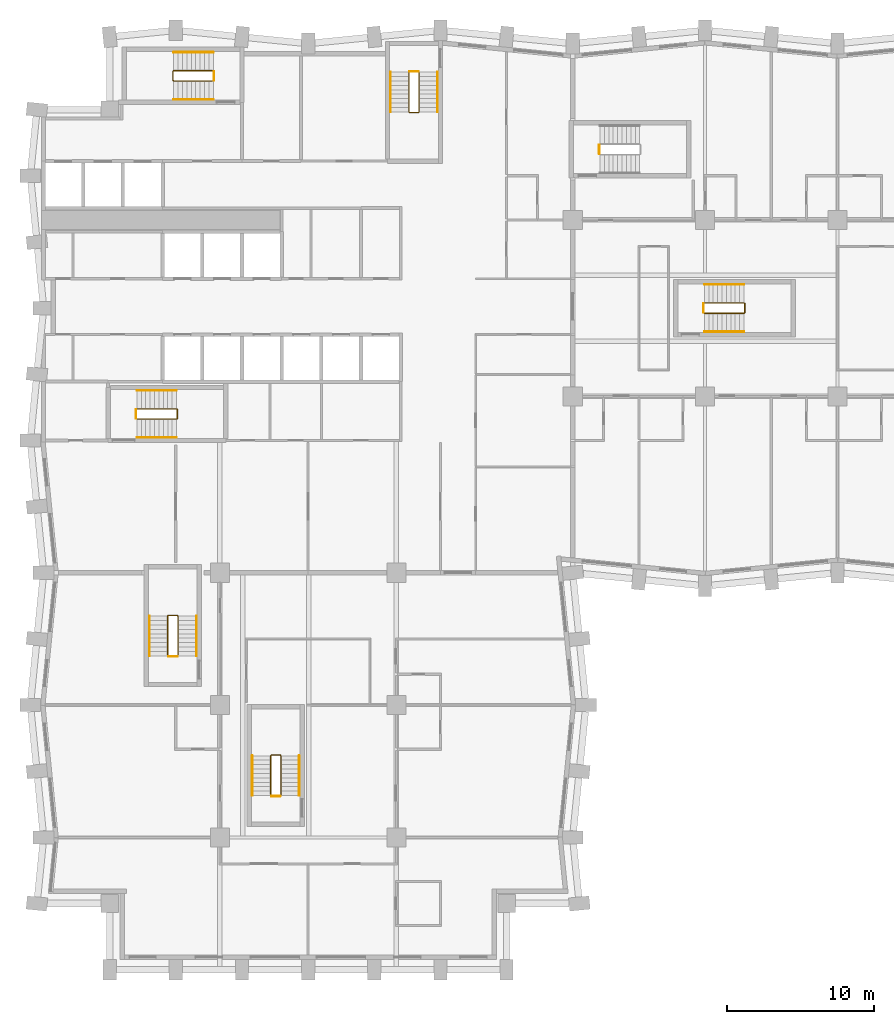
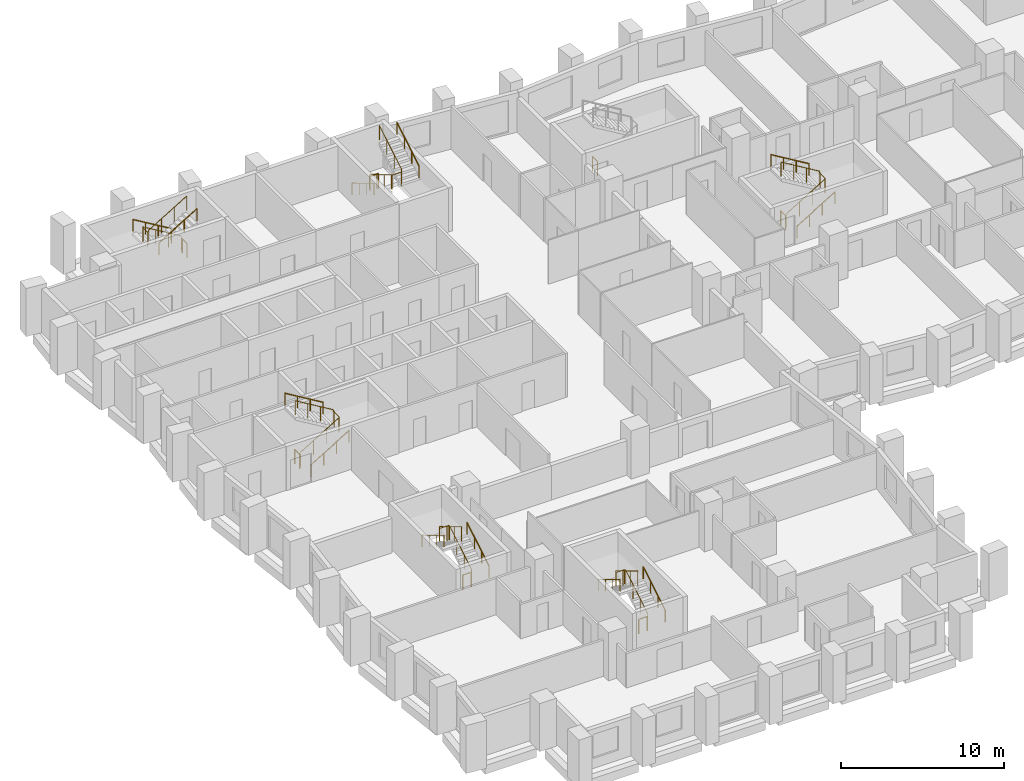
# One storey, part 11 of 12: 25 railings.
"""IFC4 building model written with IfcOpenShell, lengths in metres."""

from ifc_helpers import new_model, si_unit, direction, frame, origin, origin_2d, place, context, subcontext, project, spatial, circle, extrude, material, type_object, element, save


model = new_model("IFC4")

# Units and contexts
model_context = context("Model", 3, precision=1e-05, world=origin(), true_north=direction((0.0, 1.0)))
body_context = subcontext(model_context, "Body", "Model", "MODEL_VIEW")
ifc_project = project(units=[si_unit("LENGTHUNIT", "METRE"), si_unit("AREAUNIT", "SQUARE_METRE"), si_unit("VOLUMEUNIT", "CUBIC_METRE"), si_unit("PLANEANGLEUNIT", "RADIAN"), si_unit("MASSUNIT", "GRAM", prefix="KILO")], contexts=[model_context])

# Site, building, storey
site_placement = place(None, origin())
site = spatial("IfcSite", under=ifc_project, at=site_placement, CompositionType="ELEMENT")
building_placement = place(site_placement, origin())
building = spatial("IfcBuilding", under=site, at=building_placement, Name="Brondeck Convention Tower", CompositionType="ELEMENT")
storey_placement = place(building_placement, frame((0.0, 0.0, 51.89990234375)))
storey = spatial("IfcBuildingStorey", under=building, at=storey_placement, Name="L10", CompositionType="ELEMENT", Elevation=51.89990234375)

# Railings
ifc_material = material(Name="Steel S355", Category="steel")
railing_type_1 = type_object("IfcRailingType", Name="Stair guard 1100", PredefinedType="GUARDRAIL", material=ifc_material)
railing_1_placement = place(storey_placement, frame((6.35009765625, 37.449951171875, 0.18017578125)))
element("IfcRailing", 1, at=railing_1_placement, inside=storey, type_object=railing_type_1, Name="L10 ST-1 stair guard 1", PredefinedType="GUARDRAIL", context=body_context, shape_type="SweptSolid", body=[
    extrude(circle(Radius=0.02392578125, at=origin_2d()), frame((0.0, 0.0, 1.076171875), z_axis=(0.857506608807, 0.0, 0.514472949583), x_axis=(0.0, 1.0, 0.0)), (0.0, 0.0, 1.0), 3.148681640625),
    extrude(circle(Radius=0.02392578125, at=origin_2d()), frame((2.699951171875, 0.0, 2.69580078125), z_axis=(0.707106781187, 0.707106781187, 0.0), x_axis=(-0.707106781187, 0.707106781187, 0.0)), (0.0, 0.0, 1.0), 0.07080078125),
    extrude(circle(Radius=0.02392578125, at=origin_2d()), frame((2.75, 0.050048828125, 2.69580078125), z_axis=(0.0, 1.0, 0.0), x_axis=(-1.0, 0.0, 0.0)), (0.0, 0.0, 1.0), 0.60009765625),
    extrude(circle(Radius=0.02392578125, at=origin_2d()), frame((2.75, 0.650146484375, 2.69580078125), z_axis=(-0.258932105505, 0.257669022063, 0.930892496375), x_axis=(-0.705375805398, -0.708833529934, 0.0)), (0.0, 0.0, 1.0), 0.193359375),
    extrude(circle(Radius=0.02392578125, at=origin_2d()), frame((2.699951171875, 0.699951171875, 2.8759765625), z_axis=(-0.857472400752, 0.0, 0.514529962148), x_axis=(0.0, -1.0, 0.0)), (0.0, 0.0, 1.0), 3.148681640625),
    extrude(circle(Radius=0.02099609375, at=origin_2d()), origin(), (0.0, 0.0, 1.0), 1.052001953125),
    extrude(circle(Radius=0.02099609375, at=origin_2d()), frame((0.89990234375, 0.0, 0.5400390625)), (0.0, 0.0, 1.0), 1.052001953125),
    extrude(circle(Radius=0.02099609375, at=origin_2d()), frame((1.800048828125, 0.0, 1.079833984375)), (0.0, 0.0, 1.0), 1.052001953125),
    extrude(circle(Radius=0.02099609375, at=origin_2d()), frame((2.699951171875, 0.0, 1.619873046875)), (0.0, 0.0, 1.0), 1.052001953125),
    extrude(circle(Radius=0.02099609375, at=origin_2d()), frame((2.75, 0.050048828125, 1.619873046875)), (0.0, 0.0, 1.0), 1.052001953125),
    extrude(circle(Radius=0.02099609375, at=origin_2d()), frame((2.75, 0.650146484375, 1.619873046875)), (0.0, 0.0, 1.0), 1.052001953125),
    extrude(circle(Radius=0.02099609375, at=origin_2d()), frame((2.699951171875, 0.699951171875, 1.7998046875)), (0.0, 0.0, 1.0), 1.052001953125),
    extrude(circle(Radius=0.02099609375, at=origin_2d()), frame((1.800048828125, 0.699951171875, 2.33984375)), (0.0, 0.0, 1.0), 1.052001953125),
    extrude(circle(Radius=0.02099609375, at=origin_2d()), frame((0.89990234375, 0.699951171875, 2.8798828125)), (0.0, 0.0, 1.0), 1.052001953125),
    extrude(circle(Radius=0.02099609375, at=origin_2d()), frame((0.0, 0.699951171875, 3.419921875)), (0.0, 0.0, 1.0), 1.052001953125),
])
railing_2_placement = place(storey_placement, frame((6.300048828125, 37.5, 0.0)))
element("IfcRailing", 2, at=railing_2_placement, inside=storey, type_object=railing_type_1, Name="L10 ST-1 stair guard 2", PredefinedType="GUARDRAIL", context=body_context, shape_type="SweptSolid", body=[
    extrude(circle(Radius=0.02392578125, at=origin_2d()), frame((0.0, 0.0, 1.076171875), z_axis=(0.0, 1.0, 0.0), x_axis=(-1.0, 0.0, 0.0)), (0.0, 0.0, 1.0), 0.60009765625),
    extrude(circle(Radius=0.02099609375, at=origin_2d()), origin(), (0.0, 0.0, 1.0), 1.052001953125),
    extrude(circle(Radius=0.02099609375, at=origin_2d()), frame((0.0, 0.60009765625, 0.0)), (0.0, 0.0, 1.0), 1.052001953125),
])
railing_3_placement = place(storey_placement, frame((24.85009765625, 61.050048828125, 0.18017578125)))
element("IfcRailing", 3, at=railing_3_placement, inside=storey, type_object=railing_type_1, Name="L10 ST-2 stair guard 1", PredefinedType="GUARDRAIL", context=body_context, shape_type="SweptSolid", body=[
    extrude(circle(Radius=0.02392578125, at=origin_2d()), frame((0.0, 0.0, 1.076171875), z_axis=(0.0, -0.857506608807, 0.514472949583), x_axis=(1.0, 0.0, 0.0)), (0.0, 0.0, 1.0), 3.148681640625),
    extrude(circle(Radius=0.02392578125, at=origin_2d()), frame((0.0, -2.699951171875, 2.69580078125), z_axis=(0.705375805398, -0.708833529934, 0.0), x_axis=(0.708833529934, 0.705375805398, 0.0)), (0.0, 0.0, 1.0), 0.070556640625),
    extrude(circle(Radius=0.02392578125, at=origin_2d()), frame((0.0498046875, -2.75, 2.69580078125), z_axis=(1.0, 0.0, 0.0), x_axis=(0.0, 1.0, 0.0)), (0.0, 0.0, 1.0), 0.60009765625),
    extrude(circle(Radius=0.02392578125, at=origin_2d()), frame((0.64990234375, -2.75, 2.69580078125), z_axis=(0.258847668887, 0.258847668887, 0.930588936439), x_axis=(-0.707106781187, 0.707106781187, 0.0)), (0.0, 0.0, 1.0), 0.193359375),
    extrude(circle(Radius=0.02392578125, at=origin_2d()), frame((0.699951171875, -2.699951171875, 2.8759765625), z_axis=(0.0, 0.857472400752, 0.514529962148), x_axis=(-1.0, 0.0, 0.0)), (0.0, 0.0, 1.0), 3.148681640625),
    extrude(circle(Radius=0.02099609375, at=origin_2d()), origin(), (0.0, 0.0, 1.0), 1.052001953125),
    extrude(circle(Radius=0.02099609375, at=origin_2d()), frame((0.0, -0.89990234375, 0.5400390625)), (0.0, 0.0, 1.0), 1.052001953125),
    extrude(circle(Radius=0.02099609375, at=origin_2d()), frame((0.0, -1.800048828125, 1.079833984375)), (0.0, 0.0, 1.0), 1.052001953125),
    extrude(circle(Radius=0.02099609375, at=origin_2d()), frame((0.0, -2.699951171875, 1.619873046875)), (0.0, 0.0, 1.0), 1.052001953125),
    extrude(circle(Radius=0.02099609375, at=origin_2d()), frame((0.0498046875, -2.75, 1.619873046875)), (0.0, 0.0, 1.0), 1.052001953125),
    extrude(circle(Radius=0.02099609375, at=origin_2d()), frame((0.64990234375, -2.75, 1.619873046875)), (0.0, 0.0, 1.0), 1.052001953125),
    extrude(circle(Radius=0.02099609375, at=origin_2d()), frame((0.699951171875, -2.699951171875, 1.7998046875)), (0.0, 0.0, 1.0), 1.052001953125),
    extrude(circle(Radius=0.02099609375, at=origin_2d()), frame((0.699951171875, -1.800048828125, 2.33984375)), (0.0, 0.0, 1.0), 1.052001953125),
    extrude(circle(Radius=0.02099609375, at=origin_2d()), frame((0.699951171875, -0.89990234375, 2.8798828125)), (0.0, 0.0, 1.0), 1.052001953125),
    extrude(circle(Radius=0.02099609375, at=origin_2d()), frame((0.699951171875, 0.0, 3.419921875)), (0.0, 0.0, 1.0), 1.052001953125),
])
railing_4_placement = place(storey_placement, frame((24.89990234375, 61.10009765625, 0.0)))
element("IfcRailing", 4, at=railing_4_placement, inside=storey, type_object=railing_type_1, Name="L10 ST-2 stair guard 2", PredefinedType="GUARDRAIL", context=body_context, shape_type="SweptSolid", body=[
    extrude(circle(Radius=0.02392578125, at=origin_2d()), frame((0.0, 0.0, 1.076171875), z_axis=(1.0, 0.0, 0.0), x_axis=(0.0, 1.0, 0.0)), (0.0, 0.0, 1.0), 0.60009765625),
    extrude(circle(Radius=0.02099609375, at=origin_2d()), origin(), (0.0, 0.0, 1.0), 1.052001953125),
    extrude(circle(Radius=0.02099609375, at=origin_2d()), frame((0.60009765625, 0.0, 0.0)), (0.0, 0.0, 1.0), 1.052001953125),
])
railing_5_placement = place(storey_placement, frame((11.550048828125, 61.14990234375, 0.18017578125)))
element("IfcRailing", 5, at=railing_5_placement, inside=storey, type_object=railing_type_1, Name="L10 ST-3 stair guard 1", PredefinedType="GUARDRAIL", context=body_context, shape_type="SweptSolid", body=[
    extrude(circle(Radius=0.02392578125, at=origin_2d()), frame((0.0, 0.0, 1.076171875), z_axis=(-0.857506608807, 0.0, 0.514472949583), x_axis=(0.0, -1.0, 0.0)), (0.0, 0.0, 1.0), 3.148681640625),
    extrude(circle(Radius=0.02392578125, at=origin_2d()), frame((-2.699951171875, 0.0, 2.69580078125), z_axis=(-0.708833529934, -0.705375805398, 0.0), x_axis=(0.705375805398, -0.708833529934, 0.0)), (0.0, 0.0, 1.0), 0.070556640625),
    extrude(circle(Radius=0.02392578125, at=origin_2d()), frame((-2.75, -0.0498046875, 2.69580078125), z_axis=(0.0, -1.0, 0.0), x_axis=(1.0, 0.0, 0.0)), (0.0, 0.0, 1.0), 0.60009765625),
    extrude(circle(Radius=0.02392578125, at=origin_2d()), frame((-2.75, -0.64990234375, 2.69580078125), z_axis=(0.258847668887, -0.258847668887, 0.930588936439), x_axis=(0.707106781187, 0.707106781187, 0.0)), (0.0, 0.0, 1.0), 0.193359375),
    extrude(circle(Radius=0.02392578125, at=origin_2d()), frame((-2.699951171875, -0.699951171875, 2.8759765625), z_axis=(0.857472400752, 0.0, 0.514529962148), x_axis=(0.0, 1.0, 0.0)), (0.0, 0.0, 1.0), 3.148681640625),
    extrude(circle(Radius=0.02099609375, at=origin_2d()), origin(), (0.0, 0.0, 1.0), 1.052001953125),
    extrude(circle(Radius=0.02099609375, at=origin_2d()), frame((-0.89990234375, 0.0, 0.5400390625)), (0.0, 0.0, 1.0), 1.052001953125),
    extrude(circle(Radius=0.02099609375, at=origin_2d()), frame((-1.800048828125, 0.0, 1.079833984375)), (0.0, 0.0, 1.0), 1.052001953125),
    extrude(circle(Radius=0.02099609375, at=origin_2d()), frame((-2.699951171875, 0.0, 1.619873046875)), (0.0, 0.0, 1.0), 1.052001953125),
    extrude(circle(Radius=0.02099609375, at=origin_2d()), frame((-2.75, -0.0498046875, 1.619873046875)), (0.0, 0.0, 1.0), 1.052001953125),
    extrude(circle(Radius=0.02099609375, at=origin_2d()), frame((-2.75, -0.64990234375, 1.619873046875)), (0.0, 0.0, 1.0), 1.052001953125),
    extrude(circle(Radius=0.02099609375, at=origin_2d()), frame((-2.699951171875, -0.699951171875, 1.7998046875)), (0.0, 0.0, 1.0), 1.052001953125),
    extrude(circle(Radius=0.02099609375, at=origin_2d()), frame((-1.800048828125, -0.699951171875, 2.33984375)), (0.0, 0.0, 1.0), 1.052001953125),
    extrude(circle(Radius=0.02099609375, at=origin_2d()), frame((-0.89990234375, -0.699951171875, 2.8798828125)), (0.0, 0.0, 1.0), 1.052001953125),
    extrude(circle(Radius=0.02099609375, at=origin_2d()), frame((0.0, -0.699951171875, 3.419921875)), (0.0, 0.0, 1.0), 1.052001953125),
])
railing_6_placement = place(storey_placement, frame((11.60009765625, 61.10009765625, 0.0)))
element("IfcRailing", 6, at=railing_6_placement, inside=storey, type_object=railing_type_1, Name="L10 ST-3 stair guard 2", PredefinedType="GUARDRAIL", context=body_context, shape_type="SweptSolid", body=[
    extrude(circle(Radius=0.02392578125, at=origin_2d()), frame((0.0, 0.0, 1.076171875), z_axis=(0.0, -1.0, 0.0), x_axis=(1.0, 0.0, 0.0)), (0.0, 0.0, 1.0), 0.60009765625),
    extrude(circle(Radius=0.02099609375, at=origin_2d()), origin(), (0.0, 0.0, 1.0), 1.052001953125),
    extrude(circle(Radius=0.02099609375, at=origin_2d()), frame((0.0, -0.60009765625, 0.0)), (0.0, 0.0, 1.0), 1.052001953125),
])
railing_7_placement = place(storey_placement, frame((37.800048828125, 55.5, 0.0)))
element("IfcRailing", 7, at=railing_7_placement, inside=storey, type_object=railing_type_1, Name="L10 ST-AE stair guard 2", PredefinedType="GUARDRAIL", context=body_context, shape_type="SweptSolid", body=[
    extrude(circle(Radius=0.02392578125, at=origin_2d()), frame((0.0, 0.0, 1.076171875), z_axis=(0.0, 1.0, 0.0), x_axis=(-1.0, 0.0, 0.0)), (0.0, 0.0, 1.0), 0.60009765625),
    extrude(circle(Radius=0.02099609375, at=origin_2d()), origin(), (0.0, 0.0, 1.0), 1.052001953125),
    extrude(circle(Radius=0.02099609375, at=origin_2d()), frame((0.0, 0.60009765625, 0.0)), (0.0, 0.0, 1.0), 1.052001953125),
])
railing_8_placement = place(storey_placement, frame((9.14990234375, 21.35009765625, 0.18017578125)))
element("IfcRailing", 8, at=railing_8_placement, inside=storey, type_object=railing_type_1, Name="L10 ST-BE stair guard 1", PredefinedType="GUARDRAIL", context=body_context, shape_type="SweptSolid", body=[
    extrude(circle(Radius=0.02392578125, at=origin_2d()), frame((0.0, 0.0, 1.076171875), z_axis=(0.0, 0.857506608807, 0.514472949583), x_axis=(-1.0, 0.0, 0.0)), (0.0, 0.0, 1.0), 3.148681640625),
    extrude(circle(Radius=0.02392578125, at=origin_2d()), frame((0.0, 2.699951171875, 2.69580078125), z_axis=(-0.705375805398, 0.708833529934, 0.0), x_axis=(-0.708833529934, -0.705375805398, 0.0)), (0.0, 0.0, 1.0), 0.070556640625),
    extrude(circle(Radius=0.02392578125, at=origin_2d()), frame((-0.0498046875, 2.75, 2.69580078125), z_axis=(-1.0, 0.0, 0.0), x_axis=(0.0, -1.0, 0.0)), (0.0, 0.0, 1.0), 0.60009765625),
    extrude(circle(Radius=0.02392578125, at=origin_2d()), frame((-0.64990234375, 2.75, 2.69580078125), z_axis=(-0.258847668887, -0.258847668887, 0.930588936439), x_axis=(0.707106781187, -0.707106781187, 0.0)), (0.0, 0.0, 1.0), 0.193359375),
    extrude(circle(Radius=0.02392578125, at=origin_2d()), frame((-0.699951171875, 2.699951171875, 2.8759765625), z_axis=(0.0, -0.857472400752, 0.514529962148), x_axis=(1.0, 0.0, 0.0)), (0.0, 0.0, 1.0), 3.148681640625),
    extrude(circle(Radius=0.02099609375, at=origin_2d()), origin(), (0.0, 0.0, 1.0), 1.052001953125),
    extrude(circle(Radius=0.02099609375, at=origin_2d()), frame((0.0, 0.89990234375, 0.5400390625)), (0.0, 0.0, 1.0), 1.052001953125),
    extrude(circle(Radius=0.02099609375, at=origin_2d()), frame((0.0, 1.800048828125, 1.079833984375)), (0.0, 0.0, 1.0), 1.052001953125),
    extrude(circle(Radius=0.02099609375, at=origin_2d()), frame((0.0, 2.699951171875, 1.619873046875)), (0.0, 0.0, 1.0), 1.052001953125),
    extrude(circle(Radius=0.02099609375, at=origin_2d()), frame((-0.0498046875, 2.75, 1.619873046875)), (0.0, 0.0, 1.0), 1.052001953125),
    extrude(circle(Radius=0.02099609375, at=origin_2d()), frame((-0.64990234375, 2.75, 1.619873046875)), (0.0, 0.0, 1.0), 1.052001953125),
    extrude(circle(Radius=0.02099609375, at=origin_2d()), frame((-0.699951171875, 2.699951171875, 1.7998046875)), (0.0, 0.0, 1.0), 1.052001953125),
    extrude(circle(Radius=0.02099609375, at=origin_2d()), frame((-0.699951171875, 1.800048828125, 2.33984375)), (0.0, 0.0, 1.0), 1.052001953125),
    extrude(circle(Radius=0.02099609375, at=origin_2d()), frame((-0.699951171875, 0.89990234375, 2.8798828125)), (0.0, 0.0, 1.0), 1.052001953125),
    extrude(circle(Radius=0.02099609375, at=origin_2d()), frame((-0.699951171875, 0.0, 3.419921875)), (0.0, 0.0, 1.0), 1.052001953125),
])
railing_9_placement = place(storey_placement, frame((9.10009765625, 21.300048828125, 0.0)))
element("IfcRailing", 9, at=railing_9_placement, inside=storey, type_object=railing_type_1, Name="L10 ST-BE stair guard 2", PredefinedType="GUARDRAIL", context=body_context, shape_type="SweptSolid", body=[
    extrude(circle(Radius=0.02392578125, at=origin_2d()), frame((0.0, 0.0, 1.076171875), z_axis=(-1.0, 0.0, 0.0), x_axis=(0.0, -1.0, 0.0)), (0.0, 0.0, 1.0), 0.60009765625),
    extrude(circle(Radius=0.02099609375, at=origin_2d()), origin(), (0.0, 0.0, 1.0), 1.052001953125),
    extrude(circle(Radius=0.02099609375, at=origin_2d()), frame((-0.60009765625, 0.0, 0.0)), (0.0, 0.0, 1.0), 1.052001953125),
])
railing_10_placement = place(storey_placement, frame((44.949951171875, 44.64990234375, 0.18017578125)))
element("IfcRailing", 10, at=railing_10_placement, inside=storey, type_object=railing_type_1, Name="L10 ST-AF stair guard 1", PredefinedType="GUARDRAIL", context=body_context, shape_type="SweptSolid", body=[
    extrude(circle(Radius=0.02392578125, at=origin_2d()), frame((0.0, 0.0, 1.076171875), z_axis=(0.857506608807, 0.0, 0.514472949583), x_axis=(0.0, 1.0, 0.0)), (0.0, 0.0, 1.0), 3.148681640625),
    extrude(circle(Radius=0.02392578125, at=origin_2d()), frame((2.699951171875, 0.0, 2.69580078125), z_axis=(0.707106781187, 0.707106781187, 0.0), x_axis=(-0.707106781187, 0.707106781187, 0.0)), (0.0, 0.0, 1.0), 0.07080078125),
    extrude(circle(Radius=0.02392578125, at=origin_2d()), frame((2.75, 0.050048828125, 2.69580078125), z_axis=(0.0, 1.0, 0.0), x_axis=(-1.0, 0.0, 0.0)), (0.0, 0.0, 1.0), 0.60009765625),
    extrude(circle(Radius=0.02392578125, at=origin_2d()), frame((2.75, 0.650146484375, 2.69580078125), z_axis=(-0.258847668887, 0.258847668887, 0.930588936439), x_axis=(-0.707106781187, -0.707106781187, 0.0)), (0.0, 0.0, 1.0), 0.193359375),
    extrude(circle(Radius=0.02392578125, at=origin_2d()), frame((2.699951171875, 0.7001953125, 2.8759765625), z_axis=(-0.857472400752, 0.0, 0.514529962148), x_axis=(0.0, -1.0, 0.0)), (0.0, 0.0, 1.0), 3.148681640625),
    extrude(circle(Radius=0.02099609375, at=origin_2d()), origin(), (0.0, 0.0, 1.0), 1.052001953125),
    extrude(circle(Radius=0.02099609375, at=origin_2d()), frame((0.89990234375, 0.0, 0.5400390625)), (0.0, 0.0, 1.0), 1.052001953125),
    extrude(circle(Radius=0.02099609375, at=origin_2d()), frame((1.800048828125, 0.0, 1.079833984375)), (0.0, 0.0, 1.0), 1.052001953125),
    extrude(circle(Radius=0.02099609375, at=origin_2d()), frame((2.699951171875, 0.0, 1.619873046875)), (0.0, 0.0, 1.0), 1.052001953125),
    extrude(circle(Radius=0.02099609375, at=origin_2d()), frame((2.75, 0.050048828125, 1.619873046875)), (0.0, 0.0, 1.0), 1.052001953125),
    extrude(circle(Radius=0.02099609375, at=origin_2d()), frame((2.75, 0.650146484375, 1.619873046875)), (0.0, 0.0, 1.0), 1.052001953125),
    extrude(circle(Radius=0.02099609375, at=origin_2d()), frame((2.699951171875, 0.7001953125, 1.7998046875)), (0.0, 0.0, 1.0), 1.052001953125),
    extrude(circle(Radius=0.02099609375, at=origin_2d()), frame((1.800048828125, 0.7001953125, 2.33984375)), (0.0, 0.0, 1.0), 1.052001953125),
    extrude(circle(Radius=0.02099609375, at=origin_2d()), frame((0.89990234375, 0.7001953125, 2.8798828125)), (0.0, 0.0, 1.0), 1.052001953125),
    extrude(circle(Radius=0.02099609375, at=origin_2d()), frame((0.0, 0.7001953125, 3.419921875)), (0.0, 0.0, 1.0), 1.052001953125),
])
railing_11_placement = place(storey_placement, frame((44.89990234375, 44.699951171875, 0.0)))
element("IfcRailing", 11, at=railing_11_placement, inside=storey, type_object=railing_type_1, Name="L10 ST-AF stair guard 2", PredefinedType="GUARDRAIL", context=body_context, shape_type="SweptSolid", body=[
    extrude(circle(Radius=0.02392578125, at=origin_2d()), frame((0.0, 0.0, 1.076171875), z_axis=(0.0, 1.0, 0.0), x_axis=(-1.0, 0.0, 0.0)), (0.0, 0.0, 1.0), 0.60009765625),
    extrude(circle(Radius=0.02099609375, at=origin_2d()), origin(), (0.0, 0.0, 1.0), 1.052001953125),
    extrude(circle(Radius=0.02099609375, at=origin_2d()), frame((0.0, 0.60009765625, 0.0)), (0.0, 0.0, 1.0), 1.052001953125),
])
railing_12_placement = place(storey_placement, frame((16.14990234375, 11.85009765625, 0.18017578125)))
element("IfcRailing", 12, at=railing_12_placement, inside=storey, type_object=railing_type_1, Name="L10 ST-BF stair guard 1", PredefinedType="GUARDRAIL", context=body_context, shape_type="SweptSolid", body=[
    extrude(circle(Radius=0.02392578125, at=origin_2d()), frame((0.0, 0.0, 1.076171875), z_axis=(0.0, 0.857506608807, 0.514472949583), x_axis=(-1.0, 0.0, 0.0)), (0.0, 0.0, 1.0), 3.148681640625),
    extrude(circle(Radius=0.02392578125, at=origin_2d()), frame((0.0, 2.699951171875, 2.69580078125), z_axis=(-0.705375805398, 0.708833529934, 0.0), x_axis=(-0.708833529934, -0.705375805398, 0.0)), (0.0, 0.0, 1.0), 0.070556640625),
    extrude(circle(Radius=0.02392578125, at=origin_2d()), frame((-0.0498046875, 2.75, 2.69580078125), z_axis=(-1.0, 0.0, 0.0), x_axis=(0.0, -1.0, 0.0)), (0.0, 0.0, 1.0), 0.60009765625),
    extrude(circle(Radius=0.02392578125, at=origin_2d()), frame((-0.64990234375, 2.75, 2.69580078125), z_axis=(-0.258847668887, -0.258847668887, 0.930588936439), x_axis=(0.707106781187, -0.707106781187, 0.0)), (0.0, 0.0, 1.0), 0.193359375),
    extrude(circle(Radius=0.02392578125, at=origin_2d()), frame((-0.699951171875, 2.699951171875, 2.8759765625), z_axis=(0.0, -0.857472400752, 0.514529962148), x_axis=(1.0, 0.0, 0.0)), (0.0, 0.0, 1.0), 3.148681640625),
    extrude(circle(Radius=0.02099609375, at=origin_2d()), origin(), (0.0, 0.0, 1.0), 1.052001953125),
    extrude(circle(Radius=0.02099609375, at=origin_2d()), frame((0.0, 0.89990234375, 0.5400390625)), (0.0, 0.0, 1.0), 1.052001953125),
    extrude(circle(Radius=0.02099609375, at=origin_2d()), frame((0.0, 1.800048828125, 1.079833984375)), (0.0, 0.0, 1.0), 1.052001953125),
    extrude(circle(Radius=0.02099609375, at=origin_2d()), frame((0.0, 2.699951171875, 1.619873046875)), (0.0, 0.0, 1.0), 1.052001953125),
    extrude(circle(Radius=0.02099609375, at=origin_2d()), frame((-0.0498046875, 2.75, 1.619873046875)), (0.0, 0.0, 1.0), 1.052001953125),
    extrude(circle(Radius=0.02099609375, at=origin_2d()), frame((-0.64990234375, 2.75, 1.619873046875)), (0.0, 0.0, 1.0), 1.052001953125),
    extrude(circle(Radius=0.02099609375, at=origin_2d()), frame((-0.699951171875, 2.699951171875, 1.7998046875)), (0.0, 0.0, 1.0), 1.052001953125),
    extrude(circle(Radius=0.02099609375, at=origin_2d()), frame((-0.699951171875, 1.800048828125, 2.33984375)), (0.0, 0.0, 1.0), 1.052001953125),
    extrude(circle(Radius=0.02099609375, at=origin_2d()), frame((-0.699951171875, 0.89990234375, 2.8798828125)), (0.0, 0.0, 1.0), 1.052001953125),
    extrude(circle(Radius=0.02099609375, at=origin_2d()), frame((-0.699951171875, 0.0, 3.419921875)), (0.0, 0.0, 1.0), 1.052001953125),
])
railing_13_placement = place(storey_placement, frame((16.10009765625, 11.800048828125, 0.0)))
element("IfcRailing", 13, at=railing_13_placement, inside=storey, type_object=railing_type_1, Name="L10 ST-BF stair guard 2", PredefinedType="GUARDRAIL", context=body_context, shape_type="SweptSolid", body=[
    extrude(circle(Radius=0.02392578125, at=origin_2d()), frame((0.0, 0.0, 1.076171875), z_axis=(-1.0, 0.0, 0.0), x_axis=(0.0, -1.0, 0.0)), (0.0, 0.0, 1.0), 0.60009765625),
    extrude(circle(Radius=0.02099609375, at=origin_2d()), origin(), (0.0, 0.0, 1.0), 1.052001953125),
    extrude(circle(Radius=0.02099609375, at=origin_2d()), frame((-0.60009765625, 0.0, 0.0)), (0.0, 0.0, 1.0), 1.052001953125),
])
railing_type_2 = type_object("IfcRailingType", Name="Stair handrail", PredefinedType="HANDRAIL", material=ifc_material)
railing_14_placement = place(storey_placement, frame((6.35009765625, 36.199951171875, 0.18017578125)))
element("IfcRailing", 14, at=railing_14_placement, inside=storey, type_object=railing_type_2, Name="L10 ST-1 stair handrail 1", PredefinedType="HANDRAIL", context=body_context, shape_type="SweptSolid", body=[
    extrude(circle(Radius=0.02392578125, at=origin_2d()), frame((0.0, 0.0, 0.8759765625), z_axis=(0.857506608807, 0.0, 0.514472949583), x_axis=(0.0, 1.0, 0.0)), (0.0, 0.0, 1.0), 3.148681640625),
    extrude(circle(Radius=0.02099609375, at=origin_2d()), origin(), (0.0, 0.0, 1.0), 0.851806640625),
    extrude(circle(Radius=0.02099609375, at=origin_2d()), frame((0.89990234375, 0.0, 0.5400390625)), (0.0, 0.0, 1.0), 0.851806640625),
    extrude(circle(Radius=0.02099609375, at=origin_2d()), frame((1.800048828125, 0.0, 1.079833984375)), (0.0, 0.0, 1.0), 0.851806640625),
    extrude(circle(Radius=0.02099609375, at=origin_2d()), frame((2.699951171875, 0.0, 1.619873046875)), (0.0, 0.0, 1.0), 0.851806640625),
])
railing_15_placement = place(storey_placement, frame((9.050048828125, 39.39990234375, 1.97998046875)))
element("IfcRailing", 15, at=railing_15_placement, inside=storey, type_object=railing_type_2, Name="L10 ST-1 stair handrail 2", PredefinedType="HANDRAIL", context=body_context, shape_type="SweptSolid", body=[
    extrude(circle(Radius=0.02392578125, at=origin_2d()), frame((0.0, 0.0, 0.8759765625), z_axis=(-0.857472400752, 0.0, 0.514529962148), x_axis=(0.0, -1.0, 0.0)), (0.0, 0.0, 1.0), 3.148681640625),
    extrude(circle(Radius=0.02099609375, at=origin_2d()), origin(), (0.0, 0.0, 1.0), 0.851806640625),
    extrude(circle(Radius=0.02099609375, at=origin_2d()), frame((-0.89990234375, 0.0, 0.5400390625)), (0.0, 0.0, 1.0), 0.851806640625),
    extrude(circle(Radius=0.02099609375, at=origin_2d()), frame((-1.800048828125, 0.0, 1.080078125)), (0.0, 0.0, 1.0), 0.851806640625),
    extrude(circle(Radius=0.02099609375, at=origin_2d()), frame((-2.699951171875, 0.0, 1.6201171875)), (0.0, 0.0, 1.0), 0.851806640625),
])
railing_16_placement = place(storey_placement, frame((23.60009765625, 61.050048828125, 0.18017578125)))
element("IfcRailing", 16, at=railing_16_placement, inside=storey, type_object=railing_type_2, Name="L10 ST-2 stair handrail 1", PredefinedType="HANDRAIL", context=body_context, shape_type="SweptSolid", body=[
    extrude(circle(Radius=0.02392578125, at=origin_2d()), frame((0.0, 0.0, 0.8759765625), z_axis=(0.0, -0.857506608807, 0.514472949583), x_axis=(1.0, 0.0, 0.0)), (0.0, 0.0, 1.0), 3.148681640625),
    extrude(circle(Radius=0.02099609375, at=origin_2d()), origin(), (0.0, 0.0, 1.0), 0.851806640625),
    extrude(circle(Radius=0.02099609375, at=origin_2d()), frame((0.0, -0.89990234375, 0.5400390625)), (0.0, 0.0, 1.0), 0.851806640625),
    extrude(circle(Radius=0.02099609375, at=origin_2d()), frame((0.0, -1.800048828125, 1.079833984375)), (0.0, 0.0, 1.0), 0.851806640625),
    extrude(circle(Radius=0.02099609375, at=origin_2d()), frame((0.0, -2.699951171875, 1.619873046875)), (0.0, 0.0, 1.0), 0.851806640625),
])
railing_17_placement = place(storey_placement, frame((26.800048828125, 58.35009765625, 1.97998046875)))
element("IfcRailing", 17, at=railing_17_placement, inside=storey, type_object=railing_type_2, Name="L10 ST-2 stair handrail 2", PredefinedType="HANDRAIL", context=body_context, shape_type="SweptSolid", body=[
    extrude(circle(Radius=0.02392578125, at=origin_2d()), frame((0.0, 0.0, 0.8759765625), z_axis=(0.0, 0.857472400752, 0.514529962148), x_axis=(-1.0, 0.0, 0.0)), (0.0, 0.0, 1.0), 3.148681640625),
    extrude(circle(Radius=0.02099609375, at=origin_2d()), origin(), (0.0, 0.0, 1.0), 0.851806640625),
    extrude(circle(Radius=0.02099609375, at=origin_2d()), frame((0.0, 0.89990234375, 0.5400390625)), (0.0, 0.0, 1.0), 0.851806640625),
    extrude(circle(Radius=0.02099609375, at=origin_2d()), frame((0.0, 1.800048828125, 1.080078125)), (0.0, 0.0, 1.0), 0.851806640625),
    extrude(circle(Radius=0.02099609375, at=origin_2d()), frame((0.0, 2.699951171875, 1.6201171875)), (0.0, 0.0, 1.0), 0.851806640625),
])
railing_18_placement = place(storey_placement, frame((11.550048828125, 62.39990234375, 0.18017578125)))
element("IfcRailing", 18, at=railing_18_placement, inside=storey, type_object=railing_type_2, Name="L10 ST-3 stair handrail 1", PredefinedType="HANDRAIL", context=body_context, shape_type="SweptSolid", body=[
    extrude(circle(Radius=0.02392578125, at=origin_2d()), frame((0.0, 0.0, 0.8759765625), z_axis=(-0.857506608807, 0.0, 0.514472949583), x_axis=(0.0, -1.0, 0.0)), (0.0, 0.0, 1.0), 3.148681640625),
    extrude(circle(Radius=0.02099609375, at=origin_2d()), origin(), (0.0, 0.0, 1.0), 0.851806640625),
    extrude(circle(Radius=0.02099609375, at=origin_2d()), frame((-0.89990234375, 0.0, 0.5400390625)), (0.0, 0.0, 1.0), 0.851806640625),
    extrude(circle(Radius=0.02099609375, at=origin_2d()), frame((-1.800048828125, 0.0, 1.079833984375)), (0.0, 0.0, 1.0), 0.851806640625),
    extrude(circle(Radius=0.02099609375, at=origin_2d()), frame((-2.699951171875, 0.0, 1.619873046875)), (0.0, 0.0, 1.0), 0.851806640625),
])
railing_19_placement = place(storey_placement, frame((8.85009765625, 59.199951171875, 1.97998046875)))
element("IfcRailing", 19, at=railing_19_placement, inside=storey, type_object=railing_type_2, Name="L10 ST-3 stair handrail 2", PredefinedType="HANDRAIL", context=body_context, shape_type="SweptSolid", body=[
    extrude(circle(Radius=0.02392578125, at=origin_2d()), frame((0.0, 0.0, 0.8759765625), z_axis=(0.857472400752, 0.0, 0.514529962148), x_axis=(0.0, 1.0, 0.0)), (0.0, 0.0, 1.0), 3.148681640625),
    extrude(circle(Radius=0.02099609375, at=origin_2d()), origin(), (0.0, 0.0, 1.0), 0.851806640625),
    extrude(circle(Radius=0.02099609375, at=origin_2d()), frame((0.89990234375, 0.0, 0.5400390625)), (0.0, 0.0, 1.0), 0.851806640625),
    extrude(circle(Radius=0.02099609375, at=origin_2d()), frame((1.800048828125, 0.0, 1.080078125)), (0.0, 0.0, 1.0), 0.851806640625),
    extrude(circle(Radius=0.02099609375, at=origin_2d()), frame((2.699951171875, 0.0, 1.6201171875)), (0.0, 0.0, 1.0), 0.851806640625),
])
railing_20_placement = place(storey_placement, frame((10.39990234375, 21.35009765625, 0.18017578125)))
element("IfcRailing", 20, at=railing_20_placement, inside=storey, type_object=railing_type_2, Name="L10 ST-BE stair handrail 1", PredefinedType="HANDRAIL", context=body_context, shape_type="SweptSolid", body=[
    extrude(circle(Radius=0.02392578125, at=origin_2d()), frame((0.0, 0.0, 0.8759765625), z_axis=(0.0, 0.857506608807, 0.514472949583), x_axis=(-1.0, 0.0, 0.0)), (0.0, 0.0, 1.0), 3.148681640625),
    extrude(circle(Radius=0.02099609375, at=origin_2d()), origin(), (0.0, 0.0, 1.0), 0.851806640625),
    extrude(circle(Radius=0.02099609375, at=origin_2d()), frame((0.0, 0.89990234375, 0.5400390625)), (0.0, 0.0, 1.0), 0.851806640625),
    extrude(circle(Radius=0.02099609375, at=origin_2d()), frame((0.0, 1.800048828125, 1.079833984375)), (0.0, 0.0, 1.0), 0.851806640625),
    extrude(circle(Radius=0.02099609375, at=origin_2d()), frame((0.0, 2.699951171875, 1.619873046875)), (0.0, 0.0, 1.0), 0.851806640625),
])
railing_21_placement = place(storey_placement, frame((7.199951171875, 24.050048828125, 1.97998046875)))
element("IfcRailing", 21, at=railing_21_placement, inside=storey, type_object=railing_type_2, Name="L10 ST-BE stair handrail 2", PredefinedType="HANDRAIL", context=body_context, shape_type="SweptSolid", body=[
    extrude(circle(Radius=0.02392578125, at=origin_2d()), frame((0.0, 0.0, 0.8759765625), z_axis=(0.0, -0.857472400752, 0.514529962148), x_axis=(1.0, 0.0, 0.0)), (0.0, 0.0, 1.0), 3.148681640625),
    extrude(circle(Radius=0.02099609375, at=origin_2d()), origin(), (0.0, 0.0, 1.0), 0.851806640625),
    extrude(circle(Radius=0.02099609375, at=origin_2d()), frame((0.0, -0.89990234375, 0.5400390625)), (0.0, 0.0, 1.0), 0.851806640625),
    extrude(circle(Radius=0.02099609375, at=origin_2d()), frame((0.0, -1.800048828125, 1.080078125)), (0.0, 0.0, 1.0), 0.851806640625),
    extrude(circle(Radius=0.02099609375, at=origin_2d()), frame((0.0, -2.699951171875, 1.6201171875)), (0.0, 0.0, 1.0), 0.851806640625),
])
railing_22_placement = place(storey_placement, frame((44.949951171875, 43.39990234375, 0.18017578125)))
element("IfcRailing", 22, at=railing_22_placement, inside=storey, type_object=railing_type_2, Name="L10 ST-AF stair handrail 1", PredefinedType="HANDRAIL", context=body_context, shape_type="SweptSolid", body=[
    extrude(circle(Radius=0.02392578125, at=origin_2d()), frame((0.0, 0.0, 0.8759765625), z_axis=(0.857506608807, 0.0, 0.514472949583), x_axis=(0.0, 1.0, 0.0)), (0.0, 0.0, 1.0), 3.148681640625),
    extrude(circle(Radius=0.02099609375, at=origin_2d()), origin(), (0.0, 0.0, 1.0), 0.851806640625),
    extrude(circle(Radius=0.02099609375, at=origin_2d()), frame((0.89990234375, 0.0, 0.5400390625)), (0.0, 0.0, 1.0), 0.851806640625),
    extrude(circle(Radius=0.02099609375, at=origin_2d()), frame((1.800048828125, 0.0, 1.079833984375)), (0.0, 0.0, 1.0), 0.851806640625),
    extrude(circle(Radius=0.02099609375, at=origin_2d()), frame((2.699951171875, 0.0, 1.619873046875)), (0.0, 0.0, 1.0), 0.851806640625),
])
railing_23_placement = place(storey_placement, frame((47.64990234375, 46.60009765625, 1.97998046875)))
element("IfcRailing", 23, at=railing_23_placement, inside=storey, type_object=railing_type_2, Name="L10 ST-AF stair handrail 2", PredefinedType="HANDRAIL", context=body_context, shape_type="SweptSolid", body=[
    extrude(circle(Radius=0.02392578125, at=origin_2d()), frame((0.0, 0.0, 0.8759765625), z_axis=(-0.857472400752, 0.0, 0.514529962148), x_axis=(0.0, -1.0, 0.0)), (0.0, 0.0, 1.0), 3.148681640625),
    extrude(circle(Radius=0.02099609375, at=origin_2d()), origin(), (0.0, 0.0, 1.0), 0.851806640625),
    extrude(circle(Radius=0.02099609375, at=origin_2d()), frame((-0.89990234375, 0.0, 0.5400390625)), (0.0, 0.0, 1.0), 0.851806640625),
    extrude(circle(Radius=0.02099609375, at=origin_2d()), frame((-1.800048828125, 0.0, 1.080078125)), (0.0, 0.0, 1.0), 0.851806640625),
    extrude(circle(Radius=0.02099609375, at=origin_2d()), frame((-2.699951171875, 0.0, 1.6201171875)), (0.0, 0.0, 1.0), 0.851806640625),
])
railing_24_placement = place(storey_placement, frame((17.39990234375, 11.85009765625, 0.18017578125)))
element("IfcRailing", 24, at=railing_24_placement, inside=storey, type_object=railing_type_2, Name="L10 ST-BF stair handrail 1", PredefinedType="HANDRAIL", context=body_context, shape_type="SweptSolid", body=[
    extrude(circle(Radius=0.02392578125, at=origin_2d()), frame((0.0, 0.0, 0.8759765625), z_axis=(0.0, 0.857506608807, 0.514472949583), x_axis=(-1.0, 0.0, 0.0)), (0.0, 0.0, 1.0), 3.148681640625),
    extrude(circle(Radius=0.02099609375, at=origin_2d()), origin(), (0.0, 0.0, 1.0), 0.851806640625),
    extrude(circle(Radius=0.02099609375, at=origin_2d()), frame((0.0, 0.89990234375, 0.5400390625)), (0.0, 0.0, 1.0), 0.851806640625),
    extrude(circle(Radius=0.02099609375, at=origin_2d()), frame((0.0, 1.800048828125, 1.079833984375)), (0.0, 0.0, 1.0), 0.851806640625),
    extrude(circle(Radius=0.02099609375, at=origin_2d()), frame((0.0, 2.699951171875, 1.619873046875)), (0.0, 0.0, 1.0), 0.851806640625),
])
railing_25_placement = place(storey_placement, frame((14.199951171875, 14.550048828125, 1.97998046875)))
element("IfcRailing", 25, at=railing_25_placement, inside=storey, type_object=railing_type_2, Name="L10 ST-BF stair handrail 2", PredefinedType="HANDRAIL", context=body_context, shape_type="SweptSolid", body=[
    extrude(circle(Radius=0.02392578125, at=origin_2d()), frame((0.0, 0.0, 0.8759765625), z_axis=(0.0, -0.857472400752, 0.514529962148), x_axis=(1.0, 0.0, 0.0)), (0.0, 0.0, 1.0), 3.148681640625),
    extrude(circle(Radius=0.02099609375, at=origin_2d()), origin(), (0.0, 0.0, 1.0), 0.851806640625),
    extrude(circle(Radius=0.02099609375, at=origin_2d()), frame((0.0, -0.89990234375, 0.5400390625)), (0.0, 0.0, 1.0), 0.851806640625),
    extrude(circle(Radius=0.02099609375, at=origin_2d()), frame((0.0, -1.800048828125, 1.080078125)), (0.0, 0.0, 1.0), 0.851806640625),
    extrude(circle(Radius=0.02099609375, at=origin_2d()), frame((0.0, -2.699951171875, 1.6201171875)), (0.0, 0.0, 1.0), 0.851806640625),
])

save(model, "model.ifc")
